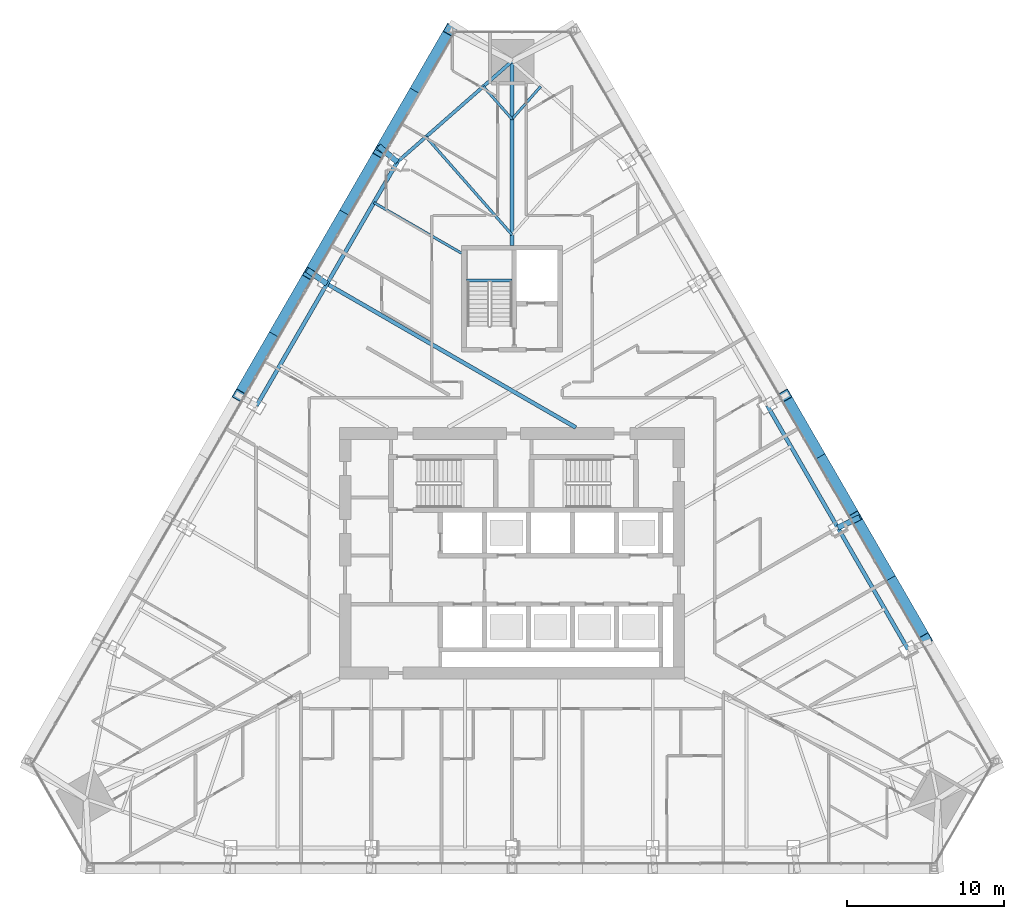
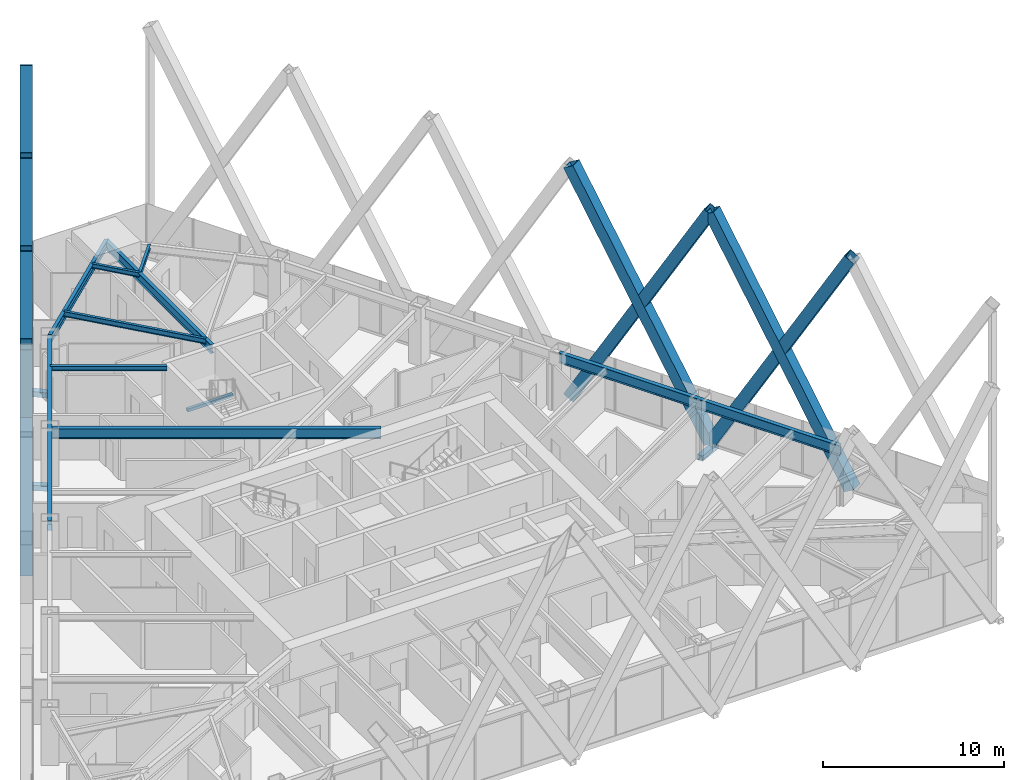
# One storey, part 14 of 24: 13 members, 10 beams.
"""IFC4 building model written with IfcOpenShell, lengths in metres."""

from ifc_helpers import new_model, si_unit, direction, frame, origin, origin_2d, place, context, subcontext, project, spatial, rectangle, hollow_rectangle, i_section, extrude, material, material_profile, profile_set, type_object, element, save


model = new_model("IFC4")

# Units and contexts
model_context = context("Model", 3, precision=1e-05, world=origin(), true_north=direction((0.0, 1.0)))
body_context = subcontext(model_context, "Body", "Model", "MODEL_VIEW")
ifc_project = project(units=[si_unit("LENGTHUNIT", "METRE"), si_unit("AREAUNIT", "SQUARE_METRE"), si_unit("VOLUMEUNIT", "CUBIC_METRE"), si_unit("PLANEANGLEUNIT", "RADIAN"), si_unit("MASSUNIT", "GRAM", prefix="KILO")], contexts=[model_context])

# Site, building, storey
site_placement = place(None, origin())
site = spatial("IfcSite", under=ifc_project, at=site_placement, CompositionType="ELEMENT")
building_placement = place(site_placement, origin())
building = spatial("IfcBuilding", under=site, at=building_placement, Name="Firuza Gate Tower and Library", CompositionType="ELEMENT")
storey_placement = place(building_placement, frame((0.0, 0.0, 171.39990234375)))
storey = spatial("IfcBuildingStorey", under=building, at=storey_placement, Name="L39", CompositionType="ELEMENT", Elevation=171.39990234375)

# Members
ifc_material_1 = material(Name="Steel S355", Category="steel")
ifc_material_profile_1 = material_profile(ifc_material_1, hollow_rectangle(XDim=0.699951171875, YDim=0.699951171875, WallThickness=0.030029296875, at=origin_2d()))
ifc_profile_set_1 = profile_set([ifc_material_profile_1], Name="Steel S355")
member_type_1 = type_object("IfcMemberType", Name="BU700x700x30 Lattice brace", PredefinedType="BRACE", material=ifc_profile_set_1)
for number, where, z_axis, x_axis, name in (
    (1, (101.351318359375, 69.51708984375, 0.0), (-0.249064116736, 0.431404453262, 0.867097032321), (-0.86603180189, -0.499988917992, 0.0), "Lattice brace E 9.2R"),
    (2, (96.870361328125, 77.278564453125, 0.0), (0.249064116736, -0.431404453262, 0.867097032321), (0.86603180189, 0.499988917992, 0.0), "Lattice brace E 9.2L"),
):
    element("IfcMember", number, at=place(storey_placement, frame(where, z_axis=z_axis, x_axis=x_axis)), inside=storey, type_object=member_type_1, Name=name, PredefinedType="BRACE", context=body_context, shape_type="SweptSolid", body=[
        extrude(hollow_rectangle(XDim=0.699951171875, YDim=0.699951171875, WallThickness=0.030029296875, at=origin_2d()), origin(), (0.0, 0.0, 1.0), 17.9912109375),
    ])
for number, where, z_axis, x_axis, name in (
    (3, (96.870361328125, 77.278564453125, 0.0), (-0.249065574789, 0.43139340866, 0.867102108416), (-0.866024991597, -0.500000713928, 0.0), "Lattice brace E 9.3R"),
    (4, (92.389404296875, 85.039794921875, 0.0), (0.249065574789, -0.43139340866, 0.867102108416), (0.866024991597, 0.500000713928, 0.0), "Lattice brace E 9.3L"),
):
    element("IfcMember", number, at=place(storey_placement, frame(where, z_axis=z_axis, x_axis=x_axis)), inside=storey, type_object=member_type_1, Name=name, PredefinedType="BRACE", context=body_context, shape_type="SweptSolid", body=[
        extrude(hollow_rectangle(XDim=0.699951171875, YDim=0.699951171875, WallThickness=0.030029296875, at=origin_2d()), origin(), (0.0, 0.0, 1.0), 17.990966796875),
    ])
for number, where, z_axis, x_axis, name in (
    (5, (71.0537109375, 108.323486328125, 0.0), (-0.249078303019, -0.431391950585, 0.867099177681), (0.866013195349, -0.500021145034, 0.0), "Lattice brace W 9.1R"),
    (6, (66.572509765625, 100.562255859375, 0.0), (0.249078303019, 0.431391950585, 0.867099177681), (-0.866013195349, 0.500021145034, 0.0), "Lattice brace W 9.1L"),
):
    element("IfcMember", number, at=place(storey_placement, frame(where, z_axis=z_axis, x_axis=x_axis)), inside=storey, type_object=member_type_1, Name=name, PredefinedType="BRACE", context=body_context, shape_type="SweptSolid", body=[
        extrude(hollow_rectangle(XDim=0.699951171875, YDim=0.699951171875, WallThickness=0.030029296875, at=origin_2d()), origin(), (0.0, 0.0, 1.0), 17.9912109375),
    ])
for number, where, z_axis, x_axis, name in (
    (7, (66.572509765625, 100.562255859375, 0.0), (-0.249065574789, -0.43139340866, 0.867102108416), (0.866024991597, -0.500000713928, 0.0), "Lattice brace W 9.2R"),
    (8, (62.091552734375, 92.801025390625, 0.0), (0.249065574789, 0.43139340866, 0.867102108416), (-0.866024991597, 0.500000713928, 0.0), "Lattice brace W 9.2L"),
    (9, (62.091552734375, 92.801025390625, 0.0), (-0.249065574789, -0.43139340866, 0.867102108416), (0.866024991597, -0.500000713928, 0.0), "Lattice brace W 9.3R"),
    (10, (57.610595703125, 85.039794921875, 0.0), (0.249065574789, 0.43139340866, 0.867102108416), (-0.866024991597, 0.500000713928, 0.0), "Lattice brace W 9.3L"),
):
    element("IfcMember", number, at=place(storey_placement, frame(where, z_axis=z_axis, x_axis=x_axis)), inside=storey, type_object=member_type_1, Name=name, PredefinedType="BRACE", context=body_context, shape_type="SweptSolid", body=[
        extrude(hollow_rectangle(XDim=0.699951171875, YDim=0.699951171875, WallThickness=0.030029296875, at=origin_2d()), origin(), (0.0, 0.0, 1.0), 17.990966796875),
    ])
ifc_material_2 = material(Name="Steel S355", Category="steel")
ifc_material_profile_2 = material_profile(ifc_material_2, hollow_rectangle(XDim=0.355712890625, YDim=0.355712890625, WallThickness=0.014892578125, at=origin_2d()))
ifc_profile_set_2 = profile_set([ifc_material_profile_2], Name="Steel S355")
member_type_2 = type_object("IfcMemberType", Name="HSS356x356x16 Lattice node tie", PredefinedType="BRACE", material=ifc_profile_set_2)
for number, where, z_axis, x_axis, name in (
    (11, (95.744384765625, 76.62841796875, -0.31982421875), (0.907213573274, 0.420670337042, 0.0), (-0.420670337042, 0.907213573274, 0.0), "Lattice node tie E L39 180"),
    (12, (63.217529296875, 92.15087890625, -0.31982421875), (-0.817886273366, 0.575379912613, 0.0), (-0.575379912613, -0.817886273366, 0.0), "Lattice node tie W L39 198"),
):
    element("IfcMember", number, at=place(storey_placement, frame(where, z_axis=z_axis, x_axis=x_axis)), inside=storey, type_object=member_type_2, Name=name, PredefinedType="BRACE", context=body_context, shape_type="SweptSolid", body=[
        extrude(hollow_rectangle(XDim=0.355712890625, YDim=0.355712890625, WallThickness=0.014892578125, at=origin_2d()), origin(), (0.0, 0.0, 1.0), 1.54541015625),
    ])
member_placement = place(storey_placement, frame((67.698486328125, 99.912353515625, -0.31982421875), z_axis=(-0.764161601594, 0.645024841885, 0.0), x_axis=(-0.645024841885, -0.764161601594, 0.0)))
element("IfcMember", 13, at=member_placement, inside=storey, type_object=member_type_2, Name="Lattice node tie W L39 199", PredefinedType="BRACE", context=body_context, shape_type="SweptSolid", body=[
    extrude(hollow_rectangle(XDim=0.355712890625, YDim=0.355712890625, WallThickness=0.014892578125, at=origin_2d()), origin(), (0.0, 0.0, 1.0), 1.5634765625),
])

# Beams
ifc_material_3 = material(Name="Concrete C35/45", Category="concrete")
ifc_material_profile_3 = material_profile(ifc_material_3, rectangle(XDim=0.199951171875, YDim=0.199951171875, at=origin_2d()))
ifc_profile_set_3 = profile_set([ifc_material_profile_3], Name="Concrete C35/45")
beam_type_1 = type_object("IfcBeamType", Name="Stair landing bearer 200x200", PredefinedType="BEAM", material=ifc_profile_set_3)
beam_1_placement = place(storey_placement, frame((75.0, 92.3701171875, 1.650146484375), z_axis=(-1.0, 0.0, 0.0), x_axis=(0.0, -1.0, 0.0)))
element("IfcBeam", 14, at=beam_1_placement, inside=storey, type_object=beam_type_1, Name="Landing bearer L39 stair 3", PredefinedType="BEAM", context=body_context, shape_type="SweptSolid", body=[
    extrude(rectangle(XDim=0.199951171875, YDim=0.199951171875, at=origin_2d()), origin(), (0.0, 0.0, 1.0), 2.89990234375),
])
ifc_material_4 = material(Name="Steel S355", Category="steel")
ifc_material_profile_4 = material_profile(ifc_material_4, i_section(OverallWidth=0.1650390625, OverallDepth=0.31005859375, WebThickness=0.005859375, FlangeThickness=0.009765625, at=origin_2d()))
ifc_profile_set_4 = profile_set([ifc_material_profile_4], Name="Steel S355")
beam_type_2 = type_object("IfcBeamType", Name="W310x39 Floor beam", PredefinedType="JOIST", material=ifc_profile_set_4)
for number, where, z_axis, x_axis, name in (
    (15, (76.825439453125, 104.720703125, 3.545166015625), (-0.659821834056, -0.751422083321, 0.0), (0.751422083321, -0.659821834056, 0.0), "Floor beam L39 s61"),
    (16, (73.174560546875, 104.720703125, 3.545166015625), (0.659821834056, -0.751422083321, 0.0), (0.751422083321, 0.659821834056, 0.0), "Floor beam L39 s70"),
):
    element("IfcBeam", number, at=place(storey_placement, frame(where, z_axis=z_axis, x_axis=x_axis)), inside=storey, type_object=beam_type_2, Name=name, PredefinedType="JOIST", context=body_context, shape_type="SweptSolid", body=[
        extrude(i_section(OverallWidth=0.1650390625, OverallDepth=0.31005859375, WebThickness=0.005859375, FlangeThickness=0.009765625, at=origin_2d()), origin(), (0.0, 0.0, 1.0), 2.7666015625),
    ])
beam_2_placement = place(storey_placement, frame((66.204833984375, 97.3251953125, 3.545166015625), z_axis=(0.86602071536, -0.500008120501, 0.0), x_axis=(0.500008120501, 0.86602071536, 0.0)))
element("IfcBeam", 17, at=beam_2_placement, inside=storey, type_object=beam_type_2, Name="Floor beam L39 s80", PredefinedType="JOIST", context=body_context, shape_type="SweptSolid", body=[
    extrude(i_section(OverallWidth=0.1650390625, OverallDepth=0.31005859375, WebThickness=0.005859375, FlangeThickness=0.009765625, at=origin_2d()), origin(), (0.0, 0.0, 1.0), 6.4609375),
])
ifc_material_5 = material(Name="Steel S355", Category="steel")
ifc_material_profile_5 = material_profile(ifc_material_5, i_section(OverallWidth=0.1708984375, OverallDepth=0.35498046875, WebThickness=0.007080078125, FlangeThickness=0.01171875, at=origin_2d()))
ifc_profile_set_5 = profile_set([ifc_material_profile_5], Name="Steel S355")
beam_type_3 = type_object("IfcBeamType", Name="W360x51 Floor beam", PredefinedType="JOIST", material=ifc_profile_set_5)
beam_3_placement = place(storey_placement, frame((69.52392578125, 101.51513671875, 3.522705078125), z_axis=(0.659805224478, -0.751436667824, 0.0), x_axis=(0.751436667824, 0.659805224478, 0.0)))
element("IfcBeam", 18, at=beam_3_placement, inside=storey, type_object=beam_type_3, Name="Floor beam L39 s71", PredefinedType="JOIST", context=body_context, shape_type="SweptSolid", body=[
    extrude(i_section(OverallWidth=0.1708984375, OverallDepth=0.35498046875, WebThickness=0.007080078125, FlangeThickness=0.01171875, at=origin_2d()), origin(), (0.0, 0.0, 1.0), 8.299560546875),
])
ifc_material_6 = material(Name="Steel S355", Category="steel")
ifc_material_profile_6 = material_profile(ifc_material_6, i_section(OverallWidth=0.212890625, OverallDepth=0.5390625, WebThickness=0.01171875, FlangeThickness=0.018798828125, at=origin_2d()))
ifc_profile_set_6 = profile_set([ifc_material_profile_6], Name="Steel S355")
beam_type_4 = type_object("IfcBeamType", Name="W530x109 Edge beam", PredefinedType="SPANDREL", material=ifc_profile_set_6)
beam_4_placement = place(storey_placement, frame((75.0, 106.323486328125, 3.4306640625), z_axis=(-0.751437794332, -0.659803941524, 0.0), x_axis=(0.659803941524, -0.751437794332, 0.0)))
element("IfcBeam", 19, at=beam_4_placement, inside=storey, type_object=beam_type_4, Name="Edge beam L39 e70", PredefinedType="SPANDREL", context=body_context, shape_type="SweptSolid", body=[
    extrude(i_section(OverallWidth=0.212890625, OverallDepth=0.5390625, WebThickness=0.01171875, FlangeThickness=0.018798828125, at=origin_2d()), origin(), (0.0, 0.0, 1.0), 9.716796875),
])
ifc_material_7 = material(Name="Steel S355", Category="steel")
ifc_material_profile_7 = material_profile(ifc_material_7, i_section(OverallWidth=0.22802734375, OverallDepth=0.60302734375, WebThickness=0.010498046875, FlangeThickness=0.014892578125, at=origin_2d()))
ifc_profile_set_7 = profile_set([ifc_material_profile_7], Name="Steel S355")
beam_type_5 = type_object("IfcBeamType", Name="W610x101 Girder", PredefinedType="BEAM", material=ifc_profile_set_7)
beam_5_placement = place(storey_placement, frame((75.0, 106.323486328125, 3.398681640625), z_axis=(0.0, -1.0, 0.0), x_axis=(1.0, 0.0, 0.0)))
element("IfcBeam", 20, at=beam_5_placement, inside=storey, type_object=beam_type_5, Name="Girder L39 gN", PredefinedType="BEAM", context=body_context, shape_type="SweptSolid", body=[
    extrude(i_section(OverallWidth=0.22802734375, OverallDepth=0.60302734375, WebThickness=0.010498046875, FlangeThickness=0.014892578125, at=origin_2d()), origin(), (0.0, 0.0, 1.0), 11.723388671875),
])
ifc_material_8 = material(Name="Steel S355", Category="steel")
ifc_material_profile_8 = material_profile(ifc_material_8, i_section(OverallWidth=0.2529296875, OverallDepth=0.677978515625, WebThickness=0.01171875, FlangeThickness=0.016357421875, at=origin_2d()))
ifc_profile_set_8 = profile_set([ifc_material_profile_8], Name="Steel S355")
beam_type_6 = type_object("IfcBeamType", Name="W690x125 Edge beam", PredefinedType="SPANDREL", material=ifc_profile_set_8)
beam_6_placement = place(storey_placement, frame((100.225341796875, 68.8671875, 3.361083984375), z_axis=(-0.500000713928, 0.866024991597, 0.0), x_axis=(-0.866024991597, -0.500000713928, 0.0)))
element("IfcBeam", 21, at=beam_6_placement, inside=storey, type_object=beam_type_6, Name="Edge beam L39 e50", PredefinedType="SPANDREL", context=body_context, shape_type="SweptSolid", body=[
    extrude(i_section(OverallWidth=0.2529296875, OverallDepth=0.677978515625, WebThickness=0.01171875, FlangeThickness=0.016357421875, at=origin_2d()), origin(), (0.0, 0.0, 1.0), 17.923828125),
])
beam_7_placement = place(storey_placement, frame((67.698486328125, 99.912353515625, 3.361083984375), z_axis=(-0.499994815902, -0.866028396804, 0.0), x_axis=(0.866028396804, -0.499994815902, 0.0)))
element("IfcBeam", 22, at=beam_7_placement, inside=storey, type_object=beam_type_6, Name="Edge beam L39 e80", PredefinedType="SPANDREL", context=body_context, shape_type="SweptSolid", body=[
    extrude(i_section(OverallWidth=0.2529296875, OverallDepth=0.677978515625, WebThickness=0.01171875, FlangeThickness=0.016357421875, at=origin_2d()), origin(), (0.0, 0.0, 1.0), 17.924072265625),
])
ifc_material_9 = material(Name="Steel S355", Category="steel")
ifc_material_profile_9 = material_profile(ifc_material_9, i_section(OverallWidth=0.2529296875, OverallDepth=0.677978515625, WebThickness=0.01171875, FlangeThickness=0.016357421875, at=origin_2d()))
ifc_profile_set_9 = profile_set([ifc_material_profile_9], Name="Steel S355")
beam_type_7 = type_object("IfcBeamType", Name="W690x125 Floor beam", PredefinedType="JOIST", material=ifc_profile_set_9)
beam_8_placement = place(storey_placement, frame((63.217529296875, 92.15087890625, 3.361083984375), z_axis=(0.866026309651, -0.49999843099, 0.0), x_axis=(0.49999843099, 0.866026309651, 0.0)))
element("IfcBeam", 23, at=beam_8_placement, inside=storey, type_object=beam_type_7, Name="Floor beam L39 s81", PredefinedType="JOIST", context=body_context, shape_type="SweptSolid", body=[
    extrude(i_section(OverallWidth=0.2529296875, OverallDepth=0.677978515625, WebThickness=0.01171875, FlangeThickness=0.016357421875, at=origin_2d()), origin(), (0.0, 0.0, 1.0), 18.3017578125),
])

save(model, "model.ifc")
